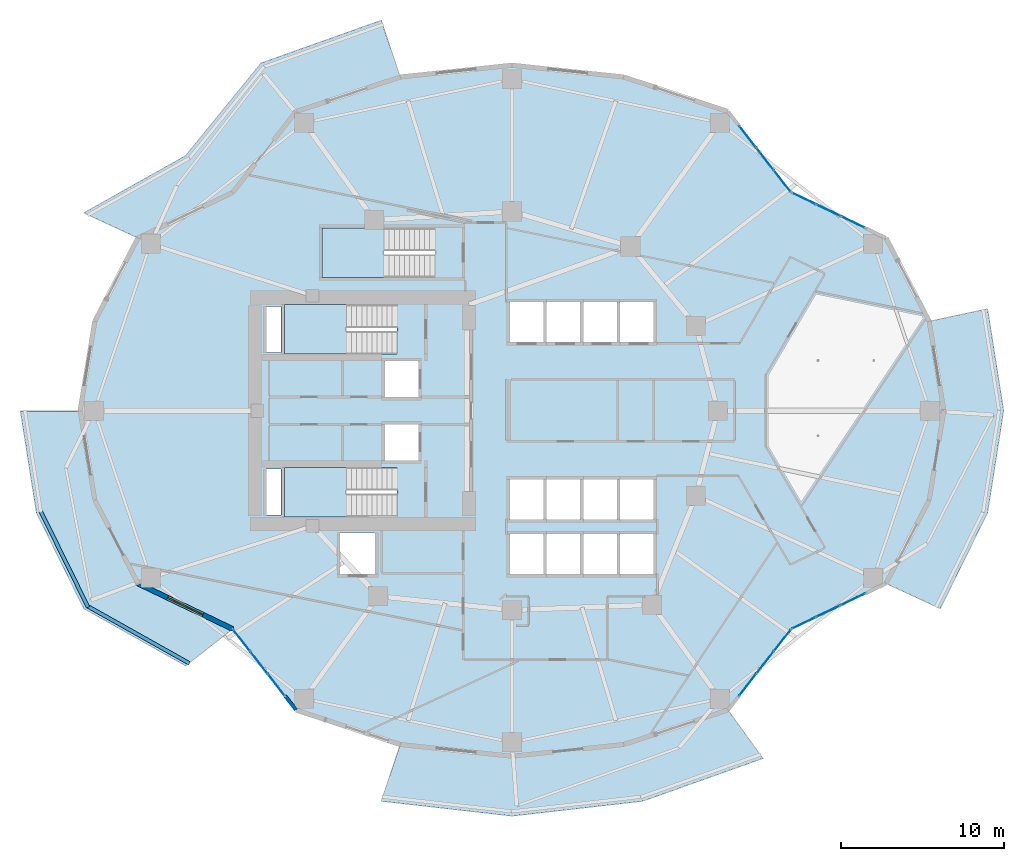
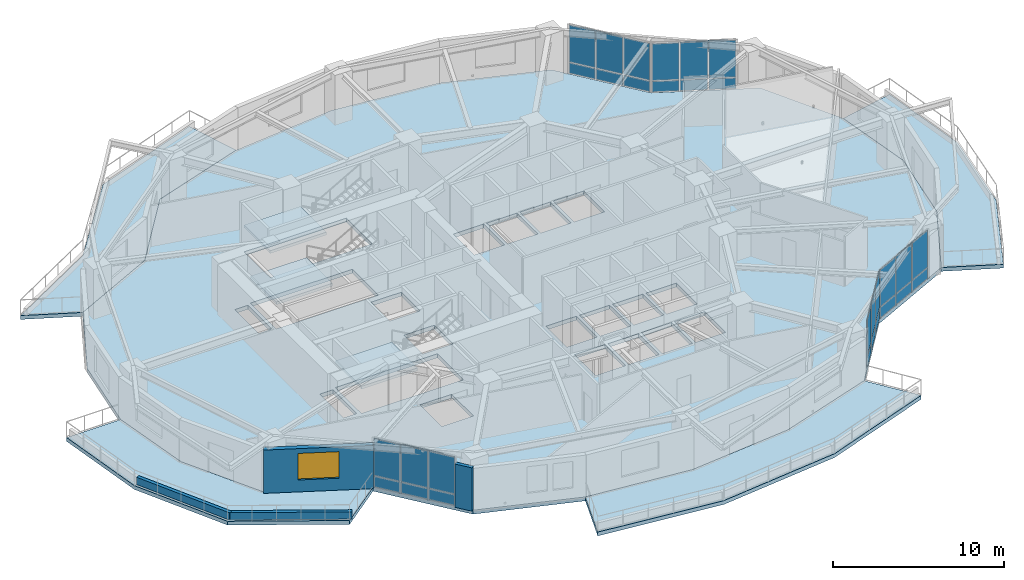
# One storey, part 7 of 18: 35 plates, 8 slabs, 4 walls, 1 window, 1 opening, 8 elements without a shape of their own.
"""IFC4 building model written with IfcOpenShell, lengths in metres."""

from ifc_helpers import new_model, si_unit, direction, frame, frame_2d, origin, origin_2d, place, context, subcontext, project, spatial, polyline, rectangle, outline, extrude, material, layer, layer_set, type_object, element, fill, aggregate, save


model = new_model("IFC4")

# Units and contexts
model_context = context("Model", 3, precision=1e-05, world=origin(), true_north=direction((0.0, 1.0)))
body_context = subcontext(model_context, "Body", "Model", "MODEL_VIEW")
ifc_project = project(units=[si_unit("LENGTHUNIT", "METRE"), si_unit("AREAUNIT", "SQUARE_METRE"), si_unit("VOLUMEUNIT", "CUBIC_METRE"), si_unit("PLANEANGLEUNIT", "RADIAN"), si_unit("MASSUNIT", "GRAM", prefix="KILO")], contexts=[model_context])

# Site, building, storey
site_placement = place(None, origin())
site = spatial("IfcSite", under=ifc_project, at=site_placement, CompositionType="ELEMENT")
building_placement = place(site_placement, origin())
building = spatial("IfcBuilding", under=site, at=building_placement, Name="Kolvaren Gate Tower and Convention Centre", CompositionType="ELEMENT")
storey_placement = place(building_placement, frame((0.0, 0.0, 61.14990234375)))
storey = spatial("IfcBuildingStorey", under=building, at=storey_placement, Name="L14", CompositionType="ELEMENT", Elevation=61.14990234375)

# Plates
ifc_material_1 = material(Name="Perforated Anodized Bronze Aluminium Sheet 6 mm", Category="aluminium")
ifc_layer_1 = layer(ifc_material_1, 0.011962890625)
ifc_layer_set_1 = layer_set([ifc_layer_1], Name="Perforated Anodized Bronze Aluminium Sheet 6 mm")
plate_type_1 = type_object("IfcPlateType", Name="ARCH-PL-SCREEN-PERF", PredefinedType="SHEET", material=ifc_layer_set_1)
for number, where, z_axis, x_axis, name in (
    (1, (50.122314453125, 38.967529296875, 2.72998046875), (0.0, 0.0, 1.0), (0.901357634097, -0.433075530889, 0.0), "Tower L14 Perforated Bronze Solar Screen SS-02"),
    (2, (45.283935546875, 42.83837890625, 2.72998046875), (0.0, 0.0, 1.0), (0.616431370541, -0.787408639407, 0.0), "Tower L14 Perforated Bronze Solar Screen SS-03"),
    (3, (14.966064453125, 11.161865234375, 2.72998046875), (0.0, 0.0, 1.0), (0.616431370541, -0.787408639407, 0.0), "Tower L14 Perforated Bronze Solar Screen SS-15"),
    (4, (45.283935546875, 11.161865234375, 2.72998046875), (0.0, 0.0, 1.0), (0.616431370541, 0.787408639407, 0.0), "Tower L14 Perforated Bronze Solar Screen SS-20"),
    (5, (50.122314453125, 15.032470703125, 2.72998046875), (0.0, 0.0, 1.0), (0.901357634097, 0.433075530889, 0.0), "Tower L14 Perforated Bronze Solar Screen SS-21"),
):
    element("IfcPlate", number, at=place(storey_placement, frame(where, z_axis=z_axis, x_axis=x_axis)), inside=storey, type_object=plate_type_1, Name=name, PredefinedType="SHEET", context=body_context, shape_type="SweptSolid", body=[
        extrude(rectangle(XDim=2.60009765625, YDim=0.011962890625, at=origin_2d()), origin(), (0.0, 0.0, 1.0), 0.840087890625),
    ])

# Curtain wall, plates
ifc_material_2 = material(Name="Anodized Architectural Aluminium Alloy 6063-T6", Category="aluminium")
ifc_layer_2 = layer(ifc_material_2, 0.159912109375)
ifc_layer_set_2 = layer_set([ifc_layer_2], Name="Anodized Architectural Aluminium Alloy 6063-T6")
curtain_wall_type = type_object("IfcCurtainWallType", Name="CW-OFF-UNIT", PredefinedType="NOTDEFINED", material=ifc_layer_set_2)
curtain_wall_1_placement = place(storey_placement, origin())
curtain_wall_1 = element("IfcCurtainWall", 6, at=curtain_wall_1_placement, inside=storey, type_object=curtain_wall_type, Name="Tower L14 Unitised Curtain Wall CW-OFF-UNIT Bay 02", PredefinedType="NOTDEFINED")
ifc_material_3 = material(Name="Low-E Triple Insulated Glazing Unit 44 mm", Category="glass")
ifc_layer_3 = layer(ifc_material_3, 0.0439453125)
ifc_layer_set_3 = layer_set([ifc_layer_3], Name="Low-E Triple Insulated Glazing Unit 44 mm")
plate_type_2 = type_object("IfcPlateType", Name="CW-PL-IGU-44", PredefinedType="CURTAIN_PANEL", material=ifc_layer_set_3)
plate_1_placement = place(storey_placement, frame((47.997314453125, 39.988525390625, 0.882568359375), z_axis=(0.0, 0.0, 1.0), x_axis=(0.901361695796, -0.433067077196, 0.0)))
plate_1 = element("IfcPlate", 7, at=plate_1_placement, type_object=plate_type_2, Name="CW-02 panel 1.2", PredefinedType="CURTAIN_PANEL", context=body_context, shape_type="SweptSolid", body=[
    extrude(rectangle(XDim=1.5859375, YDim=0.0439453125, at=origin_2d()), origin(), (0.0, 0.0, 1.0), 2.62255859375),
])
plate_2_placement = place(storey_placement, frame((49.499755859375, 39.2666015625, 0.882568359375), z_axis=(0.0, 0.0, 1.0), x_axis=(0.901361695796, -0.433067077196, 0.0)))
plate_2 = element("IfcPlate", 8, at=plate_2_placement, type_object=plate_type_2, Name="CW-02 panel 2.2", PredefinedType="CURTAIN_PANEL", context=body_context, shape_type="SweptSolid", body=[
    extrude(rectangle(XDim=1.618408203125, YDim=0.0439453125, at=origin_2d()), origin(), (0.0, 0.0, 1.0), 2.62255859375),
])
plate_3_placement = place(storey_placement, frame((51.00244140625, 38.544677734375, 0.882568359375), z_axis=(0.0, 0.0, 1.0), x_axis=(0.901361695796, -0.433067077196, 0.0)))
plate_3 = element("IfcPlate", 9, at=plate_3_placement, type_object=plate_type_2, Name="CW-02 panel 3.2", PredefinedType="CURTAIN_PANEL", context=body_context, shape_type="SweptSolid", body=[
    extrude(rectangle(XDim=1.5859375, YDim=0.0439453125, at=origin_2d()), origin(), (0.0, 0.0, 1.0), 2.62255859375),
])

curtain_wall_2_placement = place(storey_placement, origin())
curtain_wall_2 = element("IfcCurtainWall", 10, at=curtain_wall_2_placement, inside=storey, type_object=curtain_wall_type, Name="Tower L14 Unitised Curtain Wall CW-OFF-UNIT Bay 03", PredefinedType="NOTDEFINED")
plate_4_placement = place(storey_placement, frame((44.55322265625, 43.771484375, 0.882568359375), z_axis=(0.0, 0.0, 1.0), x_axis=(0.61643432946, -0.787406322976, 0.0)))
plate_4 = element("IfcPlate", 11, at=plate_4_placement, type_object=plate_type_2, Name="CW-02 panel 1.2", PredefinedType="CURTAIN_PANEL", context=body_context, shape_type="SweptSolid", body=[
    extrude(rectangle(XDim=1.641845703125, YDim=0.0439453125, at=origin_2d()), origin(), (0.0, 0.0, 1.0), 2.62255859375),
])
plate_5_placement = place(storey_placement, frame((45.615478515625, 42.41455078125, 0.882568359375), z_axis=(0.0, 0.0, 1.0), x_axis=(0.61643432946, -0.787406322976, 0.0)))
plate_5 = element("IfcPlate", 12, at=plate_5_placement, type_object=plate_type_2, Name="CW-02 panel 2.2", PredefinedType="CURTAIN_PANEL", context=body_context, shape_type="SweptSolid", body=[
    extrude(rectangle(XDim=1.674560546875, YDim=0.0439453125, at=origin_2d()), origin(), (0.0, 0.0, 1.0), 2.62255859375),
])
plate_6_placement = place(storey_placement, frame((46.677734375, 41.0576171875, 0.882568359375), z_axis=(0.0, 0.0, 1.0), x_axis=(0.61643432946, -0.787406322976, 0.0)))
plate_6 = element("IfcPlate", 13, at=plate_6_placement, type_object=plate_type_2, Name="CW-02 panel 3.2", PredefinedType="CURTAIN_PANEL", context=body_context, shape_type="SweptSolid", body=[
    extrude(rectangle(XDim=1.641845703125, YDim=0.0439453125, at=origin_2d()), origin(), (0.0, 0.0, 1.0), 2.62255859375),
])

curtain_wall_3_placement = place(storey_placement, origin())
curtain_wall_3 = element("IfcCurtainWall", 14, at=curtain_wall_3_placement, inside=storey, type_object=curtain_wall_type, Name="Tower L14 Unitised Curtain Wall CW-OFF-UNIT Bay 15", PredefinedType="NOTDEFINED")
plate_7_placement = place(storey_placement, frame((13.572265625, 12.9423828125, 0.882568359375), z_axis=(0.0, 0.0, 1.0), x_axis=(0.616426589398, -0.787412382353, 0.0)))
plate_7 = element("IfcPlate", 15, at=plate_7_placement, type_object=plate_type_2, Name="CW-02 panel 1.2", PredefinedType="CURTAIN_PANEL", context=body_context, shape_type="SweptSolid", body=[
    extrude(rectangle(XDim=1.641845703125, YDim=0.0439453125, at=origin_2d()), origin(), (0.0, 0.0, 1.0), 2.62255859375),
])
plate_8_placement = place(storey_placement, frame((14.63427734375, 11.58544921875, 0.882568359375), z_axis=(0.0, 0.0, 1.0), x_axis=(0.616426589398, -0.787412382353, 0.0)))
plate_8 = element("IfcPlate", 16, at=plate_8_placement, type_object=plate_type_2, Name="CW-02 panel 2.2", PredefinedType="CURTAIN_PANEL", context=body_context, shape_type="SweptSolid", body=[
    extrude(rectangle(XDim=1.67431640625, YDim=0.0439453125, at=origin_2d()), origin(), (0.0, 0.0, 1.0), 2.62255859375),
])
plate_9_placement = place(storey_placement, frame((15.696533203125, 10.228759765625, 0.882568359375), z_axis=(0.0, 0.0, 1.0), x_axis=(0.616426589398, -0.787412382353, 0.0)))
plate_9 = element("IfcPlate", 17, at=plate_9_placement, type_object=plate_type_2, Name="CW-02 panel 3.2", PredefinedType="CURTAIN_PANEL", context=body_context, shape_type="SweptSolid", body=[
    extrude(rectangle(XDim=1.641845703125, YDim=0.0439453125, at=origin_2d()), origin(), (0.0, 0.0, 1.0), 2.62255859375),
])

curtain_wall_4_placement = place(storey_placement, origin())
curtain_wall_4 = element("IfcCurtainWall", 18, at=curtain_wall_4_placement, inside=storey, type_object=curtain_wall_type, Name="Tower L14 Unitised Curtain Wall CW-OFF-UNIT Bay 20", PredefinedType="NOTDEFINED")
plate_10_placement = place(storey_placement, frame((44.55322265625, 10.228515625, 0.882568359375), z_axis=(0.0, 0.0, 1.0), x_axis=(0.61643432946, 0.787406322976, 0.0)))
plate_10 = element("IfcPlate", 19, at=plate_10_placement, type_object=plate_type_2, Name="CW-02 panel 1.2", PredefinedType="CURTAIN_PANEL", context=body_context, shape_type="SweptSolid", body=[
    extrude(rectangle(XDim=1.641845703125, YDim=0.0439453125, at=origin_2d()), origin(), (0.0, 0.0, 1.0), 2.62255859375),
])
plate_11_placement = place(storey_placement, frame((45.615478515625, 11.58544921875, 0.882568359375), z_axis=(0.0, 0.0, 1.0), x_axis=(0.61643432946, 0.787406322976, 0.0)))
plate_11 = element("IfcPlate", 20, at=plate_11_placement, type_object=plate_type_2, Name="CW-02 panel 2.2", PredefinedType="CURTAIN_PANEL", context=body_context, shape_type="SweptSolid", body=[
    extrude(rectangle(XDim=1.674560546875, YDim=0.0439453125, at=origin_2d()), origin(), (0.0, 0.0, 1.0), 2.62255859375),
])
plate_12_placement = place(storey_placement, frame((46.677734375, 12.9423828125, 0.882568359375), z_axis=(0.0, 0.0, 1.0), x_axis=(0.61643432946, 0.787406322976, 0.0)))
plate_12 = element("IfcPlate", 21, at=plate_12_placement, type_object=plate_type_2, Name="CW-02 panel 3.2", PredefinedType="CURTAIN_PANEL", context=body_context, shape_type="SweptSolid", body=[
    extrude(rectangle(XDim=1.641845703125, YDim=0.0439453125, at=origin_2d()), origin(), (0.0, 0.0, 1.0), 2.62255859375),
])

curtain_wall_5_placement = place(storey_placement, origin())
curtain_wall_5 = element("IfcCurtainWall", 22, at=curtain_wall_5_placement, inside=storey, type_object=curtain_wall_type, Name="Tower L14 Unitised Curtain Wall CW-OFF-UNIT Bay 21", PredefinedType="NOTDEFINED")
plate_13_placement = place(storey_placement, frame((47.997314453125, 14.011474609375, 0.882568359375), z_axis=(0.0, 0.0, 1.0), x_axis=(0.901361695796, 0.433067077196, 0.0)))
plate_13 = element("IfcPlate", 23, at=plate_13_placement, type_object=plate_type_2, Name="CW-02 panel 1.2", PredefinedType="CURTAIN_PANEL", context=body_context, shape_type="SweptSolid", body=[
    extrude(rectangle(XDim=1.5859375, YDim=0.0439453125, at=origin_2d()), origin(), (0.0, 0.0, 1.0), 2.62255859375),
])
plate_14_placement = place(storey_placement, frame((49.499755859375, 14.7333984375, 0.882568359375), z_axis=(0.0, 0.0, 1.0), x_axis=(0.901361695796, 0.433067077196, 0.0)))
plate_14 = element("IfcPlate", 24, at=plate_14_placement, type_object=plate_type_2, Name="CW-02 panel 2.2", PredefinedType="CURTAIN_PANEL", context=body_context, shape_type="SweptSolid", body=[
    extrude(rectangle(XDim=1.618408203125, YDim=0.0439453125, at=origin_2d()), origin(), (0.0, 0.0, 1.0), 2.62255859375),
])
plate_15_placement = place(storey_placement, frame((51.00244140625, 15.455322265625, 0.882568359375), z_axis=(0.0, 0.0, 1.0), x_axis=(0.901361695796, 0.433067077196, 0.0)))
plate_15 = element("IfcPlate", 25, at=plate_15_placement, type_object=plate_type_2, Name="CW-02 panel 3.2", PredefinedType="CURTAIN_PANEL", context=body_context, shape_type="SweptSolid", body=[
    extrude(rectangle(XDim=1.5859375, YDim=0.0439453125, at=origin_2d()), origin(), (0.0, 0.0, 1.0), 2.62255859375),
])

# Plate
ifc_material_4 = material(Name="Solar-Control Laminated Curtain Glazing 36 mm", Category="glass")
ifc_layer_4 = layer(ifc_material_4, 0.035888671875)
ifc_layer_set_4 = layer_set([ifc_layer_4], Name="Solar-Control Laminated Curtain Glazing 36 mm")
plate_type_3 = type_object("IfcPlateType", Name="CW-PL-SPAN-36", PredefinedType="CURTAIN_PANEL", material=ifc_layer_set_4)
plate_16_placement = place(storey_placement, frame((47.997314453125, 39.988525390625, 0.065185546875), z_axis=(0.0, 0.0, 1.0), x_axis=(0.901361695796, -0.433067077196, 0.0)))
plate_16 = element("IfcPlate", 26, at=plate_16_placement, type_object=plate_type_3, Name="CW-02 panel 1.1", PredefinedType="CURTAIN_PANEL", context=body_context, shape_type="SweptSolid", body=[
    extrude(rectangle(XDim=1.5859375, YDim=0.035888671875, at=origin_2d()), origin(), (0.0, 0.0, 1.0), 0.75244140625),
])

plate_17_placement = place(storey_placement, frame((49.499755859375, 39.2666015625, 0.065185546875), z_axis=(0.0, 0.0, 1.0), x_axis=(0.901361695796, -0.433067077196, 0.0)))
plate_17 = element("IfcPlate", 27, at=plate_17_placement, type_object=plate_type_3, Name="CW-02 panel 2.1", PredefinedType="CURTAIN_PANEL", context=body_context, shape_type="SweptSolid", body=[
    extrude(rectangle(XDim=1.618408203125, YDim=0.035888671875, at=origin_2d()), origin(), (0.0, 0.0, 1.0), 0.75244140625),
])

plate_18_placement = place(storey_placement, frame((51.00244140625, 38.544677734375, 0.065185546875), z_axis=(0.0, 0.0, 1.0), x_axis=(0.901361695796, -0.433067077196, 0.0)))
plate_18 = element("IfcPlate", 28, at=plate_18_placement, type_object=plate_type_3, Name="CW-02 panel 3.1", PredefinedType="CURTAIN_PANEL", context=body_context, shape_type="SweptSolid", body=[
    extrude(rectangle(XDim=1.5859375, YDim=0.035888671875, at=origin_2d()), origin(), (0.0, 0.0, 1.0), 0.75244140625),
])

aggregate(curtain_wall_1, [plate_16, plate_1, plate_17, plate_2, plate_18, plate_3])

plate_19_placement = place(storey_placement, frame((44.55322265625, 43.771484375, 0.065185546875), z_axis=(0.0, 0.0, 1.0), x_axis=(0.61643432946, -0.787406322976, 0.0)))
plate_19 = element("IfcPlate", 29, at=plate_19_placement, type_object=plate_type_3, Name="CW-02 panel 1.1", PredefinedType="CURTAIN_PANEL", context=body_context, shape_type="SweptSolid", body=[
    extrude(rectangle(XDim=1.641845703125, YDim=0.035888671875, at=origin_2d()), origin(), (0.0, 0.0, 1.0), 0.75244140625),
])

plate_20_placement = place(storey_placement, frame((45.615478515625, 42.41455078125, 0.065185546875), z_axis=(0.0, 0.0, 1.0), x_axis=(0.61643432946, -0.787406322976, 0.0)))
plate_20 = element("IfcPlate", 30, at=plate_20_placement, type_object=plate_type_3, Name="CW-02 panel 2.1", PredefinedType="CURTAIN_PANEL", context=body_context, shape_type="SweptSolid", body=[
    extrude(rectangle(XDim=1.674560546875, YDim=0.035888671875, at=origin_2d()), origin(), (0.0, 0.0, 1.0), 0.75244140625),
])

plate_21_placement = place(storey_placement, frame((46.677734375, 41.0576171875, 0.065185546875), z_axis=(0.0, 0.0, 1.0), x_axis=(0.61643432946, -0.787406322976, 0.0)))
plate_21 = element("IfcPlate", 31, at=plate_21_placement, type_object=plate_type_3, Name="CW-02 panel 3.1", PredefinedType="CURTAIN_PANEL", context=body_context, shape_type="SweptSolid", body=[
    extrude(rectangle(XDim=1.641845703125, YDim=0.035888671875, at=origin_2d()), origin(), (0.0, 0.0, 1.0), 0.75244140625),
])

aggregate(curtain_wall_2, [plate_19, plate_4, plate_20, plate_5, plate_21, plate_6])

plate_22_placement = place(storey_placement, frame((13.572265625, 12.9423828125, 0.065185546875), z_axis=(0.0, 0.0, 1.0), x_axis=(0.616426589398, -0.787412382353, 0.0)))
plate_22 = element("IfcPlate", 32, at=plate_22_placement, type_object=plate_type_3, Name="CW-02 panel 1.1", PredefinedType="CURTAIN_PANEL", context=body_context, shape_type="SweptSolid", body=[
    extrude(rectangle(XDim=1.641845703125, YDim=0.035888671875, at=origin_2d()), origin(), (0.0, 0.0, 1.0), 0.75244140625),
])

plate_23_placement = place(storey_placement, frame((14.63427734375, 11.58544921875, 0.065185546875), z_axis=(0.0, 0.0, 1.0), x_axis=(0.616426589398, -0.787412382353, 0.0)))
plate_23 = element("IfcPlate", 33, at=plate_23_placement, type_object=plate_type_3, Name="CW-02 panel 2.1", PredefinedType="CURTAIN_PANEL", context=body_context, shape_type="SweptSolid", body=[
    extrude(rectangle(XDim=1.67431640625, YDim=0.035888671875, at=origin_2d()), origin(), (0.0, 0.0, 1.0), 0.75244140625),
])

plate_24_placement = place(storey_placement, frame((15.696533203125, 10.228759765625, 0.065185546875), z_axis=(0.0, 0.0, 1.0), x_axis=(0.616426589398, -0.787412382353, 0.0)))
plate_24 = element("IfcPlate", 34, at=plate_24_placement, type_object=plate_type_3, Name="CW-02 panel 3.1", PredefinedType="CURTAIN_PANEL", context=body_context, shape_type="SweptSolid", body=[
    extrude(rectangle(XDim=1.641845703125, YDim=0.035888671875, at=origin_2d()), origin(), (0.0, 0.0, 1.0), 0.75244140625),
])

aggregate(curtain_wall_3, [plate_22, plate_7, plate_23, plate_8, plate_24, plate_9])

plate_25_placement = place(storey_placement, frame((44.55322265625, 10.228515625, 0.065185546875), z_axis=(0.0, 0.0, 1.0), x_axis=(0.61643432946, 0.787406322976, 0.0)))
plate_25 = element("IfcPlate", 35, at=plate_25_placement, type_object=plate_type_3, Name="CW-02 panel 1.1", PredefinedType="CURTAIN_PANEL", context=body_context, shape_type="SweptSolid", body=[
    extrude(rectangle(XDim=1.641845703125, YDim=0.035888671875, at=origin_2d()), origin(), (0.0, 0.0, 1.0), 0.75244140625),
])

plate_26_placement = place(storey_placement, frame((45.615478515625, 11.58544921875, 0.065185546875), z_axis=(0.0, 0.0, 1.0), x_axis=(0.61643432946, 0.787406322976, 0.0)))
plate_26 = element("IfcPlate", 36, at=plate_26_placement, type_object=plate_type_3, Name="CW-02 panel 2.1", PredefinedType="CURTAIN_PANEL", context=body_context, shape_type="SweptSolid", body=[
    extrude(rectangle(XDim=1.674560546875, YDim=0.035888671875, at=origin_2d()), origin(), (0.0, 0.0, 1.0), 0.75244140625),
])

plate_27_placement = place(storey_placement, frame((46.677734375, 12.9423828125, 0.065185546875), z_axis=(0.0, 0.0, 1.0), x_axis=(0.61643432946, 0.787406322976, 0.0)))
plate_27 = element("IfcPlate", 37, at=plate_27_placement, type_object=plate_type_3, Name="CW-02 panel 3.1", PredefinedType="CURTAIN_PANEL", context=body_context, shape_type="SweptSolid", body=[
    extrude(rectangle(XDim=1.641845703125, YDim=0.035888671875, at=origin_2d()), origin(), (0.0, 0.0, 1.0), 0.75244140625),
])

aggregate(curtain_wall_4, [plate_25, plate_10, plate_26, plate_11, plate_27, plate_12])

plate_28_placement = place(storey_placement, frame((47.997314453125, 14.011474609375, 0.065185546875), z_axis=(0.0, 0.0, 1.0), x_axis=(0.901361695796, 0.433067077196, 0.0)))
plate_28 = element("IfcPlate", 38, at=plate_28_placement, type_object=plate_type_3, Name="CW-02 panel 1.1", PredefinedType="CURTAIN_PANEL", context=body_context, shape_type="SweptSolid", body=[
    extrude(rectangle(XDim=1.5859375, YDim=0.035888671875, at=origin_2d()), origin(), (0.0, 0.0, 1.0), 0.75244140625),
])

plate_29_placement = place(storey_placement, frame((49.499755859375, 14.7333984375, 0.065185546875), z_axis=(0.0, 0.0, 1.0), x_axis=(0.901361695796, 0.433067077196, 0.0)))
plate_29 = element("IfcPlate", 39, at=plate_29_placement, type_object=plate_type_3, Name="CW-02 panel 2.1", PredefinedType="CURTAIN_PANEL", context=body_context, shape_type="SweptSolid", body=[
    extrude(rectangle(XDim=1.618408203125, YDim=0.035888671875, at=origin_2d()), origin(), (0.0, 0.0, 1.0), 0.75244140625),
])

plate_30_placement = place(storey_placement, frame((51.00244140625, 15.455322265625, 0.065185546875), z_axis=(0.0, 0.0, 1.0), x_axis=(0.901361695796, 0.433067077196, 0.0)))
plate_30 = element("IfcPlate", 40, at=plate_30_placement, type_object=plate_type_3, Name="CW-02 panel 3.1", PredefinedType="CURTAIN_PANEL", context=body_context, shape_type="SweptSolid", body=[
    extrude(rectangle(XDim=1.5859375, YDim=0.035888671875, at=origin_2d()), origin(), (0.0, 0.0, 1.0), 0.75244140625),
])

aggregate(curtain_wall_5, [plate_28, plate_13, plate_29, plate_14, plate_30, plate_15])

# Slabs
ifc_material_5 = material(Name="Concrete C50/60", Category="concrete")
ifc_layer_5 = layer(ifc_material_5, 0.27001953125)
ifc_layer_set_5 = layer_set([ifc_layer_5], Name="Concrete C50/60")
slab_type_1 = type_object("IfcSlabType", Name="STR-SL-BALC-270", PredefinedType="FLOOR", material=ifc_layer_set_5)
slab_1_placement = place(storey_placement, frame((0.0, 0.0, -0.27001953125)))
element("IfcSlab", 41, at=slab_1_placement, inside=storey, type_object=slab_type_1, Name="Tower L14 Planted Balcony Terrace Slab 1 (North)", PredefinedType="FLOOR", context=body_context, shape_type="SweptSolid", body=[
    extrude(outline(polyline([(23.282470703125, 47.42919921875), (16.90625, 45.31640625), (13.026123046875, 40.360107421875), (7.2294921875, 37.574951171875), (3.90673828125, 39.109619140625), (10.14208984375, 42.613525390625), (14.764404296875, 48.2841796875), (22.1201171875, 50.89990234375), (23.282470703125, 47.42919921875)])), origin(), (0.0, 0.0, 1.0), 0.27001953125),
])
slab_2_placement = place(storey_placement, frame((0.0, 0.0, -0.27001953125)))
element("IfcSlab", 42, at=slab_2_placement, inside=storey, type_object=slab_type_1, Name="Tower L14 Planted Balcony Terrace Slab 2 (West)", PredefinedType="FLOOR", context=body_context, shape_type="SweptSolid", body=[
    extrude(outline(polyline([(3.6875, 27.0), (4.58837890625, 21.52587890625), (7.2294921875, 16.425048828125), (13.026123046875, 13.639892578125), (10.14208984375, 11.386474609375), (3.90673828125, 14.890380859375), (1.009521484375, 20.7587890625), (0.027587890625, 27.0), (3.6875, 27.0)])), origin(), (0.0, 0.0, 1.0), 0.27001953125),
])
slab_3_placement = place(storey_placement, frame((0.0, 0.0, -0.27001953125)))
element("IfcSlab", 43, at=slab_3_placement, inside=storey, type_object=slab_type_1, Name="Tower L14 Planted Balcony Terrace Slab 3 (South)", PredefinedType="FLOOR", context=body_context, shape_type="SweptSolid", body=[
    extrude(outline(polyline([(23.282470703125, 6.57080078125), (30.125, 5.85009765625), (36.967529296875, 6.57080078125), (43.34375, 8.68359375), (45.485595703125, 5.7158203125), (38.1298828125, 3.10009765625), (30.125, 2.18994140625), (22.1201171875, 3.10009765625), (23.282470703125, 6.57080078125)])), origin(), (0.0, 0.0, 1.0), 0.27001953125),
])
slab_4_placement = place(storey_placement, frame((0.0, 0.0, -0.27001953125)))
element("IfcSlab", 44, at=slab_4_placement, inside=storey, type_object=slab_type_1, Name="Tower L14 Planted Balcony Terrace Slab 4 (East)", PredefinedType="FLOOR", context=body_context, shape_type="SweptSolid", body=[
    extrude(outline(polyline([(53.0205078125, 16.425048828125), (55.66162109375, 21.52587890625), (56.5625, 27.0), (55.66162109375, 32.47412109375), (59.240478515625, 33.2412109375), (60.222412109375, 27.0), (59.240478515625, 20.7587890625), (56.34326171875, 14.890380859375), (53.0205078125, 16.425048828125)])), origin(), (0.0, 0.0, 1.0), 0.27001953125),
])
ifc_layer_6 = layer(ifc_material_5, 0.280029296875)
ifc_layer_set_6 = layer_set([ifc_layer_6], Name="Concrete C50/60")
slab_type_2 = type_object("IfcSlabType", Name="STR-SL-FLR-280", PredefinedType="FLOOR", material=ifc_layer_set_6)
slab_5_placement = place(storey_placement, frame((0.0, 0.0, -0.27978515625)))
element("IfcSlab", 45, at=slab_5_placement, inside=storey, type_object=slab_type_2, Name="Tower L14 Structural Floor Slab", PredefinedType="FLOOR", context=body_context, shape_type="SweptSolid", body=[
    extrude(outline(polyline([(56.5625, 27.0), (55.66162109375, 32.47412109375), (53.0205078125, 37.574951171875), (47.223876953125, 40.360107421875), (43.34375, 45.31640625), (36.967529296875, 47.42919921875), (30.125, 48.14990234375), (23.282470703125, 47.42919921875), (16.90625, 45.31640625), (13.026123046875, 40.360107421875), (7.2294921875, 37.574951171875), (4.58837890625, 32.47412109375), (3.6875, 27.0), (4.58837890625, 21.52587890625), (7.2294921875, 16.425048828125), (13.026123046875, 13.639892578125), (16.90625, 8.68359375), (23.282470703125, 6.57080078125), (30.125, 5.85009765625), (36.967529296875, 6.57080078125), (43.34375, 8.68359375), (47.223876953125, 13.639892578125), (53.0205078125, 16.425048828125), (55.66162109375, 21.52587890625), (56.5625, 27.0)]), holes=[polyline([(36.75, 33.64990234375), (38.800048828125, 33.64990234375), (38.800048828125, 31.199951171875), (36.75, 31.199951171875), (36.75, 33.64990234375)]), polyline([(36.75, 20.35009765625), (36.75, 22.800048828125), (38.800048828125, 22.800048828125), (38.800048828125, 20.35009765625), (36.75, 20.35009765625)]), polyline([(36.75, 17.0), (36.75, 19.449951171875), (38.800048828125, 19.449951171875), (38.800048828125, 17.0), (36.75, 17.0)]), polyline([(34.5, 33.64990234375), (36.550048828125, 33.64990234375), (36.550048828125, 31.199951171875), (34.5, 31.199951171875), (34.5, 33.64990234375)]), polyline([(34.5, 22.800048828125), (36.550048828125, 22.800048828125), (36.550048828125, 20.35009765625), (34.5, 20.35009765625), (34.5, 22.800048828125)]), polyline([(34.5, 17.0), (34.5, 19.449951171875), (36.550048828125, 19.449951171875), (36.550048828125, 17.0), (34.5, 17.0)]), polyline([(32.25, 31.199951171875), (32.25, 33.64990234375), (34.300048828125, 33.64990234375), (34.300048828125, 31.199951171875), (32.25, 31.199951171875)]), polyline([(32.25, 22.800048828125), (34.300048828125, 22.800048828125), (34.300048828125, 20.35009765625), (32.25, 20.35009765625), (32.25, 22.800048828125)]), polyline([(32.25, 17.0), (32.25, 19.449951171875), (34.300048828125, 19.449951171875), (34.300048828125, 17.0), (32.25, 17.0)]), polyline([(30.0, 31.199951171875), (30.0, 33.64990234375), (32.050048828125, 33.64990234375), (32.050048828125, 31.199951171875), (30.0, 31.199951171875)]), polyline([(30.0, 20.35009765625), (30.0, 22.800048828125), (32.050048828125, 22.800048828125), (32.050048828125, 20.35009765625), (30.0, 20.35009765625)]), polyline([(30.0, 17.0), (30.0, 19.449951171875), (32.050048828125, 19.449951171875), (32.050048828125, 17.0), (30.0, 17.0)]), polyline([(25.39990234375, 35.159912109375), (18.5, 35.159912109375), (18.5, 38.199951171875), (25.39990234375, 38.199951171875), (25.39990234375, 35.159912109375)]), polyline([(22.35009765625, 27.840087890625), (22.35009765625, 30.0400390625), (24.39990234375, 30.0400390625), (24.39990234375, 27.840087890625), (22.35009765625, 27.840087890625)]), polyline([(22.35009765625, 23.9599609375), (22.35009765625, 26.159912109375), (24.39990234375, 26.159912109375), (24.39990234375, 23.9599609375), (22.35009765625, 23.9599609375)]), polyline([(23.10009765625, 30.4599609375), (16.199951171875, 30.4599609375), (16.199951171875, 33.5), (23.10009765625, 33.5), (23.10009765625, 30.4599609375)]), polyline([(23.10009765625, 20.5), (16.199951171875, 20.5), (16.199951171875, 23.5400390625), (23.10009765625, 23.5400390625), (23.10009765625, 20.5)]), polyline([(19.60009765625, 17.0), (19.60009765625, 19.550048828125), (21.75, 19.550048828125), (21.75, 17.0), (19.60009765625, 17.0)]), polyline([(15.080078125, 23.419921875), (15.969970703125, 23.419921875), (15.969970703125, 20.6298828125), (15.080078125, 20.6298828125), (15.080078125, 23.419921875)]), polyline([(15.080078125, 30.580078125), (15.080078125, 33.3701171875), (15.969970703125, 33.3701171875), (15.969970703125, 30.580078125), (15.080078125, 30.580078125)])]), origin(), (0.0, 0.0, 1.0), 0.27978515625),
])

# Stair, slab
stair_type = type_object("IfcStairType", Name="STR-STAIR-CORE", PredefinedType="HALF_TURN_STAIR", material=ifc_material_5)
stair_1_placement = place(storey_placement, origin())
stair_1 = element("IfcStair", 46, at=stair_1_placement, inside=storey, type_object=stair_type, Name="L14 Tower North Exit Stair ST-T1", PredefinedType="HALF_TURN_STAIR")
ifc_layer_7 = layer(ifc_material_5, 0.199951171875)
ifc_layer_set_7 = layer_set([ifc_layer_7], Name="Concrete C50/60")
slab_type_3 = type_object("IfcSlabType", Name="STR-SL-LAND-200", PredefinedType="LANDING", material=ifc_layer_set_7)
slab_6_placement = place(storey_placement, frame((0.0, 0.0, 1.72509765625)))
slab_6 = element("IfcSlab", 47, at=slab_6_placement, type_object=slab_type_3, Name="ST-T1 landing 1", PredefinedType="LANDING", context=body_context, shape_type="SweptSolid", body=[
    extrude(outline(polyline([(20.0, 33.5), (16.199951171875, 33.5), (16.199951171875, 30.4599609375), (20.0, 30.4599609375), (20.0, 33.5)])), origin(), (0.0, 0.0, 1.0), 0.199951171875),
])
aggregate(stair_1, [slab_6])

stair_2_placement = place(storey_placement, origin())
stair_2 = element("IfcStair", 48, at=stair_2_placement, inside=storey, type_object=stair_type, Name="L14 Tower South Exit Stair ST-T2", PredefinedType="HALF_TURN_STAIR")
slab_7_placement = place(storey_placement, frame((0.0, 0.0, 1.72509765625)))
slab_7 = element("IfcSlab", 49, at=slab_7_placement, type_object=slab_type_3, Name="ST-T2 landing 1", PredefinedType="LANDING", context=body_context, shape_type="SweptSolid", body=[
    extrude(outline(polyline([(20.0, 23.5400390625), (16.199951171875, 23.5400390625), (16.199951171875, 20.5), (20.0, 20.5), (20.0, 23.5400390625)])), origin(), (0.0, 0.0, 1.0), 0.199951171875),
])
aggregate(stair_2, [slab_7])

stair_3_placement = place(storey_placement, origin())
stair_3 = element("IfcStair", 50, at=stair_3_placement, inside=storey, type_object=stair_type, Name="L14 Tower Mid-Zone Exit Stair ST-T3", PredefinedType="HALF_TURN_STAIR")
slab_8_placement = place(storey_placement, frame((0.0, 0.0, 1.72509765625)))
slab_8 = element("IfcSlab", 51, at=slab_8_placement, type_object=slab_type_3, Name="ST-T3 landing 1", PredefinedType="LANDING", context=body_context, shape_type="SweptSolid", body=[
    extrude(outline(polyline([(22.300048828125, 38.199951171875), (18.5, 38.199951171875), (18.5, 35.159912109375), (22.300048828125, 35.159912109375), (22.300048828125, 38.199951171875)])), origin(), (0.0, 0.0, 1.0), 0.199951171875),
])
aggregate(stair_3, [slab_8])

# Walls
ifc_material_6 = material(Name="Bogota Sabana Bush-Hammered Sandstone Cladding", Category="masonry")
ifc_layer_8 = layer(ifc_material_6, 0.219970703125)
ifc_layer_set_8 = layer_set([ifc_layer_8], Name="Bogota Sabana Bush-Hammered Sandstone Cladding")
wall_type_1 = type_object("IfcWallType", Name="ARCH-WL-PIER-220", PredefinedType="SOLIDWALL", material=ifc_layer_set_8)
wall_1_placement = place(storey_placement, frame((16.24267578125, 9.53125, 0.0), z_axis=(0.0, 0.0, 1.0), x_axis=(0.616418327775, -0.787418849903, 0.0)))
element("IfcWall", 52, at=wall_1_placement, inside=storey, type_object=wall_type_1, Name="Tower L14 Unitised Curtain Wall CW-OFF-UNIT Bay 15 Right Column Pier Wrap", PredefinedType="SOLIDWALL", context=body_context, shape_type="SweptSolid", body=[
    extrude(rectangle(XDim=1.076416015625, YDim=0.219970703125, at=frame_2d((0.5380859375, 0.0))), origin(), (0.0, 0.0, 1.0), 3.093017578125),
])
ifc_material_7 = material(Name="Piedmont Cream Honed Limestone Cladding", Category="masonry")
ifc_layer_9 = layer(ifc_material_7, 0.219970703125)
ifc_layer_set_9 = layer_set([ifc_layer_9], Name="Piedmont Cream Honed Limestone Cladding")
wall_type_2 = type_object("IfcWallType", Name="ARCH-WL-PLANTER-220", PredefinedType="PARAPET", material=ifc_layer_set_9)
wall_2_placement = place(storey_placement, frame((1.275390625, 20.846923828125, 0.0), z_axis=(0.0, 0.0, 1.0), x_axis=(0.442686636348, -0.89667638644, 0.0)))
element("IfcWall", 53, at=wall_2_placement, inside=storey, type_object=wall_type_2, Name="Vertical-Forest Balcony Stone Planter Kerb PK-L14-2.2", PredefinedType="PARAPET", context=body_context, shape_type="SweptSolid", body=[
    extrude(rectangle(XDim=6.544677734375, YDim=0.219970703125, at=frame_2d((3.2724609375, 0.0))), origin(), (0.0, 0.0, 1.0), 0.52001953125),
])
wall_3_placement = place(storey_placement, frame((4.14697265625, 15.034423828125, 0.0), z_axis=(0.0, 0.0, 1.0), x_axis=(0.871775109335, -0.489906275468, 0.0)))
element("IfcWall", 54, at=wall_3_placement, inside=storey, type_object=wall_type_2, Name="Vertical-Forest Balcony Stone Planter Kerb PK-L14-2.3", PredefinedType="PARAPET", context=body_context, shape_type="SweptSolid", body=[
    extrude(rectangle(XDim=7.152099609375, YDim=0.219970703125, at=frame_2d((3.576171875, 0.0))), origin(), (0.0, 0.0, 1.0), 0.52001953125),
])

# Wall, opening, window
ifc_layer_10 = layer(ifc_material_7, 0.300048828125)
ifc_layer_set_10 = layer_set([ifc_layer_10], Name="Piedmont Cream Honed Limestone Cladding")
wall_type_3 = type_object("IfcWallType", Name="ARCH-WL-STONE-300", PredefinedType="SOLIDWALL", material=ifc_layer_set_10)
wall_4_placement = place(storey_placement, frame((7.2294921875, 16.425048828125, 0.0), z_axis=(0.0, 0.0, 1.0), x_axis=(0.901354747727, -0.433081538224, 0.0)))
wall_4 = element("IfcWall", 55, at=wall_4_placement, inside=storey, type_object=wall_type_3, Name="Tower L14 Honed Stone Spandrel Wall EW-14", PredefinedType="SOLIDWALL", context=body_context, shape_type="SweptSolid", body=[
    extrude(rectangle(XDim=6.430908203125, YDim=0.300048828125, at=frame_2d((3.21533203125, 0.0))), origin(), (0.0, 0.0, 1.0), 3.093017578125),
])
opening_placement = place(wall_4_placement, frame((2.014892578125, 0.0, 0.85009765625)))
opening = element("IfcOpeningElement", 56, at=opening_placement, cuts=wall_4, Name="Opening W-01", PredefinedType="OPENING", context=body_context, shape_type="SweptSolid", body=[
    extrude(rectangle(XDim=2.39990234375, YDim=1.89990234375, at=frame_2d((1.199951171875, 0.949951171875))), frame((0.0, 0.159912109375, 0.0), z_axis=(0.0, -1.0, 0.0), x_axis=(1.0, 0.0, 0.0)), (0.0, 0.0, 1.0), 0.320068359375),
])
window_type = type_object("IfcWindowType", Name="ARCH-WN-OFF-2400", PartitioningType="SINGLE_PANEL", PredefinedType="WINDOW", material=ifc_material_3)
window_placement = place(opening_placement, origin())
window = element("IfcWindow", 57, at=window_placement, inside=storey, type_object=window_type, Name="Tower L14 Punched Stone Facade Window W-14", OverallHeight=1.89990234375, OverallWidth=2.39990234375, PartitioningType="SINGLE_PANEL", PredefinedType="WINDOW", context=body_context, shape_type="SweptSolid", body=[
    extrude(rectangle(XDim=2.39990234375, YDim=1.89990234375, at=frame_2d((1.199951171875, 0.949951171875))), frame((0.0, 0.030029296875, 0.0), z_axis=(0.0, -1.0, 0.0), x_axis=(1.0, 0.0, 0.0)), (0.0, 0.0, 1.0), 0.06005859375),
])
fill(opening, window)

save(model, "model.ifc")
